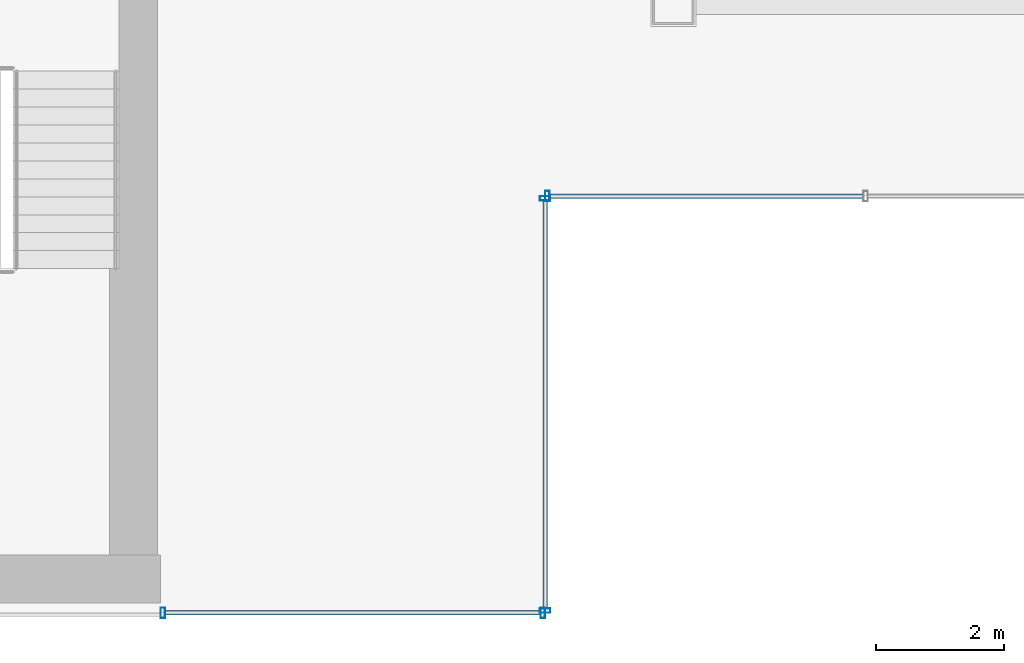
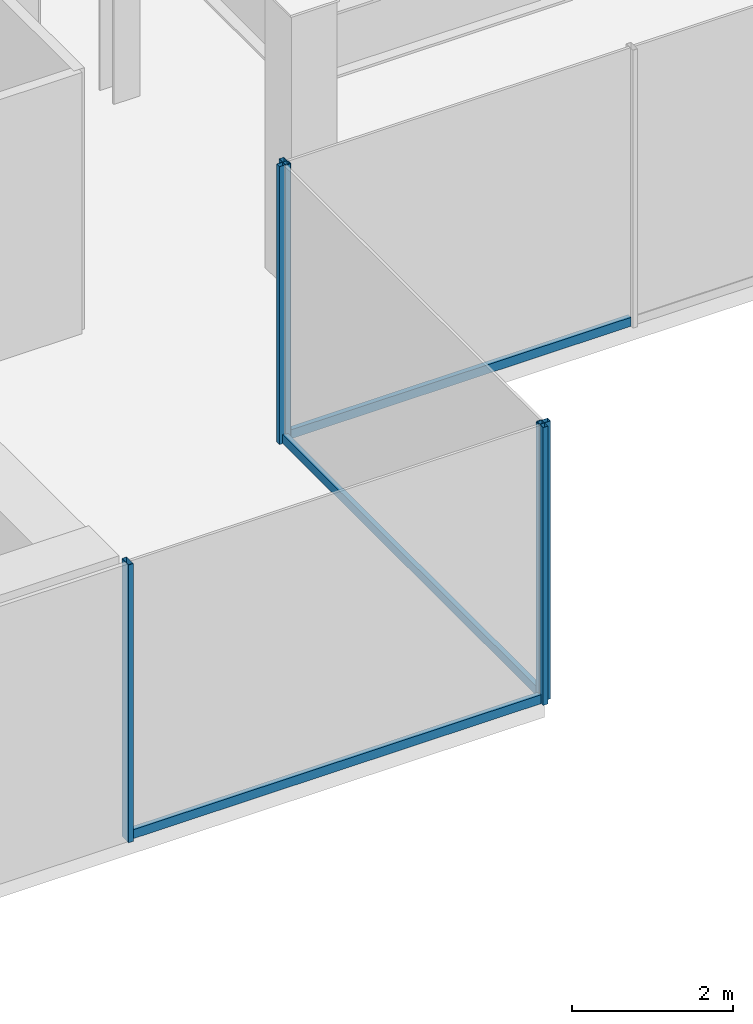
# One storey, part 4 of 26: 8 members, 3 elements without a shape of their own.
"""IFC4 building model written with IfcOpenShell, lengths in metres."""

import ifcopenshell
import ifcopenshell.guid

model = None  # the IFC model being written
_history = None  # IfcOwnerHistory: only IFC2X3 demands one
_inside = {}  # id of a spatial element -> (the spatial element, [elements in it])
_under = {}  # id of a project, library or spatial element -> (it, [spatial elements below it])
_declared = {}  # id of a project -> (the project, [libraries it declares])
_typed = {}  # id of a type object -> (the type object, [elements of that type])
_made_of = {}  # id of a material, layer set ... -> (it, [elements and type objects made of it])


def new_model(schema):
    """Start an empty IFC model of exactly this schema.

    Asked for "IFC4X3", IfcOpenShell would pick the latest addendum, in which some entities
    have other attributes; the version numbers below select the first issue.
    IFC2X3 requires an IfcOwnerHistory on every rooted entity: one is made here for all.
    """
    global model, _history
    if schema == "IFC4X3":
        model = ifcopenshell.file(schema_version=(4, 3, 0, 0))
    else:
        model = ifcopenshell.file(schema=schema)
    _inside.clear()
    _under.clear()
    _declared.clear()
    _typed.clear()
    _made_of.clear()
    _history = None
    if model.schema == "IFC2X3":
        org = make("IfcOrganization", Name="unknown")
        user = make(
            "IfcPersonAndOrganization",
            ThePerson=make("IfcPerson", FamilyName="unknown"),
            TheOrganization=org,
        )
        app = make(
            "IfcApplication",
            ApplicationDeveloper=org,
            Version="unknown",
            ApplicationFullName="unknown",
            ApplicationIdentifier="unknown",
        )
        _history = make(
            "IfcOwnerHistory",
            OwningUser=user,
            OwningApplication=app,
            ChangeAction="ADDED",
            CreationDate=0,
        )
    return model


def make(cls, **values):
    """One entity of the class cls with the attributes given. An attribute that is None is left unset."""
    return model.create_entity(
        cls, **{name: value for name, value in values.items() if value is not None}
    )


def rooted(cls, **values):
    """An entity with a GlobalId (a new one), such as an element, a storey or a relation."""
    return make(cls, GlobalId=ifcopenshell.guid.new(), OwnerHistory=_history, **values)


def si_unit(unit_type, name, prefix=None):
    """IfcSIUnit, for example si_unit("LENGTHUNIT", "METRE", prefix="MILLI")."""
    return make("IfcSIUnit", UnitType=unit_type, Prefix=prefix, Name=name)


def derived_unit(unit_type, elements):
    """IfcDerivedUnit: a product of units, each with its exponent."""
    return make(
        "IfcDerivedUnit",
        Elements=[
            make("IfcDerivedUnitElement", Unit=unit, Exponent=power)
            for unit, power in elements
        ],
        UnitType=unit_type,
    )


def assignment(units):
    """IfcUnitAssignment: the units of a project."""
    return None if units is None else make("IfcUnitAssignment", Units=units)


def point(xyz):
    """IfcCartesianPoint."""
    return None if xyz is None else make("IfcCartesianPoint", Coordinates=xyz)


def direction(xyz):
    """IfcDirection."""
    return None if xyz is None else make("IfcDirection", DirectionRatios=xyz)


def frame(location, z_axis=None, x_axis=None):
    """IfcAxis2Placement3D, a coordinate frame: its origin and axes. An axis left out is left unset."""
    return make(
        "IfcAxis2Placement3D",
        Location=point(location),
        Axis=direction(z_axis),
        RefDirection=direction(x_axis),
    )


def frame_2d(location, x_axis=None):
    """IfcAxis2Placement2D, a coordinate frame in the plane: its origin and x axis."""
    return make(
        "IfcAxis2Placement2D", Location=point(location), RefDirection=direction(x_axis)
    )


def origin():
    """The frame at (0, 0, 0) with its axes left unset."""
    return frame((0.0, 0.0, 0.0))


def origin_2d():
    """The frame at (0, 0) in the plane with its x axis left unset."""
    return frame_2d((0.0, 0.0))


def place(relative_to, where):
    """IfcLocalPlacement: puts the frame where relative to a parent placement (None: the world)."""
    return make(
        "IfcLocalPlacement", PlacementRelTo=relative_to, RelativePlacement=where
    )


def context(
    kind, dimensions, precision=None, world=None, true_north=None, identifier=None
):
    """IfcGeometricRepresentationContext, for example the 3D "Model" context."""
    return make(
        "IfcGeometricRepresentationContext",
        ContextIdentifier=identifier,
        ContextType=kind,
        CoordinateSpaceDimension=dimensions,
        Precision=precision,
        WorldCoordinateSystem=world,
        TrueNorth=true_north,
    )


def subcontext(parent, identifier, kind, view, scale=None):
    """IfcGeometricRepresentationSubContext, for example "Body" below "Model"."""
    return make(
        "IfcGeometricRepresentationSubContext",
        ContextIdentifier=identifier,
        ContextType=kind,
        ParentContext=parent,
        TargetScale=scale,
        TargetView=view,
    )


def project(units=None, contexts=None):
    """IfcProject with its units and contexts."""
    return rooted(
        "IfcProject",
        Name="project",
        RepresentationContexts=contexts,
        UnitsInContext=assignment(units),
    )


def spatial(cls, under=None, at=None, **own):
    """A site, building, storey or space (cls), placed at a placement, below another one or the project."""
    s = rooted(cls, ObjectPlacement=at, **own)
    if under is not None:
        _under.setdefault(under.id(), (under, []))[1].append(s)
    return s


def profile(cls, at=None, kind="AREA", **sizes):
    """A parametric profile (cls). Its sizes go by their IFC names, for example OverallWidth=200.0."""
    return make(cls, ProfileType=kind, Position=at, **sizes)


def hollow_rectangle(**sizes):
    """IfcRectangleHollowProfileDef."""
    return profile("IfcRectangleHollowProfileDef", **sizes)


def extrude(swept, where, along, depth):
    """IfcExtrudedAreaSolid: the profile swept, set in the frame where, extruded along a direction by depth."""
    return make(
        "IfcExtrudedAreaSolid",
        SweptArea=swept,
        Position=where,
        ExtrudedDirection=direction(along),
        Depth=depth,
    )


def shape(context_of_items, identifier, shape_type, items):
    """IfcShapeRepresentation: the items that make up one representation, for example the "Body"."""
    return make(
        "IfcShapeRepresentation",
        ContextOfItems=context_of_items,
        RepresentationIdentifier=identifier,
        RepresentationType=shape_type,
        Items=items,
    )


def source(mapping_origin, context_of_items, identifier, shape_type, items):
    """IfcRepresentationMap: a shape defined once, which mapped items show again and again."""
    return make(
        "IfcRepresentationMap",
        MappingOrigin=mapping_origin,
        MappedRepresentation=shape(context_of_items, identifier, shape_type, items),
    )


def transform(
    local_origin,
    x_axis=None,
    y_axis=None,
    z_axis=None,
    scale=None,
    scale2=None,
    scale3=None,
    uniform=True,
):
    """IfcCartesianTransformationOperator3D, or its non-uniform kind. x_axis, y_axis, z_axis: its Axis1, 2, 3."""
    if uniform:
        return make(
            "IfcCartesianTransformationOperator3D",
            Axis1=direction(x_axis),
            Axis2=direction(y_axis),
            LocalOrigin=point(local_origin),
            Scale=scale,
            Axis3=direction(z_axis),
        )
    return make(
        "IfcCartesianTransformationOperator3DnonUniform",
        Axis1=direction(x_axis),
        Axis2=direction(y_axis),
        LocalOrigin=point(local_origin),
        Scale=scale,
        Axis3=direction(z_axis),
        Scale2=scale2,
        Scale3=scale3,
    )


def mapped(mapping_source, mapping_target):
    """IfcMappedItem: shows the shape of a source again, moved by a transform."""
    return make(
        "IfcMappedItem", MappingSource=mapping_source, MappingTarget=mapping_target
    )


def material(Name=None, Category=None):
    """IfcMaterial."""
    return make("IfcMaterial", Name=Name, Category=Category)


def material_profile(
    of_material, cross_section, Name=None, Category=None, Priority=None
):
    """IfcMaterialProfile: a cross section and its material."""
    return make(
        "IfcMaterialProfile",
        Name=Name,
        Material=of_material,
        Profile=cross_section,
        Priority=Priority,
        Category=Category,
    )


def profile_set(profiles, Name=None, composite=None):
    """IfcMaterialProfileSet."""
    return make(
        "IfcMaterialProfileSet",
        Name=Name,
        MaterialProfiles=profiles,
        CompositeProfile=composite,
    )


def made_of(thing, what):
    """Note that an element or type object is made of a material, layer set ...; save() writes the relation."""
    if what is not None:
        _made_of.setdefault(what.id(), (what, []))[1].append(thing)
    return thing


def type_object(cls, material=None, **own):
    """A type object (cls), such as IfcWallType, which elements share."""
    return made_of(rooted(cls, **own), material)


def element(
    cls,
    number,
    at=None,
    inside=None,
    cuts=None,
    type_object=None,
    material=None,
    context=None,
    identifier="Body",
    shape_type=None,
    held_by="IfcProductDefinitionShape",
    body=None,
    shapes=None,
    **own,
):
    """One element of the class cls, such as IfcWall. Its Tag is "e" and its number.

    at: its placement. inside: the storey or other place that contains it. cuts: it is an
    opening in that element (IfcRelVoidsElement). A single representation is given by context,
    identifier, shape_type and body (its items); several are given by shapes. held_by: the class
    of the entity that holds the representations. save() writes the other relations.
    """
    e = rooted(cls, Tag="e%d" % number, ObjectPlacement=at, **own)
    if body is not None:
        shapes = [shape(context, identifier, shape_type, body)]
    if shapes is not None:
        e.Representation = make(held_by, Representations=shapes)
    if inside is not None:
        _inside.setdefault(inside.id(), (inside, []))[1].append(e)
    if cuts is not None:
        rooted(
            "IfcRelVoidsElement", RelatingBuildingElement=cuts, RelatedOpeningElement=e
        )
    if type_object is not None:
        _typed.setdefault(type_object.id(), (type_object, []))[1].append(e)
    return made_of(e, material)


def aggregate(whole, parts):
    """IfcRelAggregates: a whole, such as a stair, and the parts it consists of."""
    return rooted("IfcRelAggregates", RelatingObject=whole, RelatedObjects=parts)


def save(model, path):
    """Write the relations noted so far, then the file.

    IfcRelAggregates (storeys below a building ...), IfcRelContainedInSpatialStructure (elements
    in a storey), IfcRelDefinesByType, IfcRelAssociatesMaterial and IfcRelDeclares: one each for
    every whole, place, type object, material and project.
    """
    for whole, parts in _under.values():
        aggregate(whole, parts)
    for where, things in _inside.values():
        rooted(
            "IfcRelContainedInSpatialStructure",
            RelatedElements=things,
            RelatingStructure=where,
        )
    for kind, things in _typed.values():
        rooted("IfcRelDefinesByType", RelatedObjects=things, RelatingType=kind)
    for what, things in _made_of.values():
        rooted("IfcRelAssociatesMaterial", RelatedObjects=things, RelatingMaterial=what)
    for by, libraries in _declared.values():
        rooted("IfcRelDeclares", RelatingContext=by, RelatedDefinitions=libraries)
    model.write(path)


model = new_model("IFC4")

# Units and contexts
model_context = context("Model", 3, precision=1e-05, world=origin(), true_north=direction((0.0, 1.0)))
body_context = subcontext(model_context, "Body", "Model", "MODEL_VIEW")
ifc_project = project(units=[si_unit("LENGTHUNIT", "METRE"), si_unit("AREAUNIT", "SQUARE_METRE"), si_unit("VOLUMEUNIT", "CUBIC_METRE"), si_unit("PLANEANGLEUNIT", "RADIAN"), si_unit("MASSUNIT", "GRAM", prefix="KILO"), derived_unit("THERMALTRANSMITTANCEUNIT", [(si_unit("POWERUNIT", "WATT"), 1), (si_unit("LENGTHUNIT", "METRE"), -2), (si_unit("THERMODYNAMICTEMPERATUREUNIT", "KELVIN"), -1)])], contexts=[model_context])

# Site, building, storey
site_placement = place(None, origin())
site = spatial("IfcSite", under=ifc_project, at=site_placement, CompositionType="ELEMENT")
building_placement = place(site_placement, origin())
building = spatial("IfcBuilding", under=site, at=building_placement, Name="Skarnbrae Concourse Arena and Tower", CompositionType="ELEMENT")
storey_placement = place(building_placement, frame((0.0, 0.0, 184.39990234375)))
storey = spatial("IfcBuildingStorey", under=building, at=storey_placement, Name="L47", CompositionType="ELEMENT", Elevation=184.39990234375)

# Curtain wall, members
ifc_material = material(Name="Bronze anodised aluminium 6063-T6", Category="aluminium")
curtain_wall_type = type_object("IfcCurtainWallType", Name="CW-SYS-06-SKYLOBBY", PredefinedType="USERDEFINED", material=ifc_material)
curtain_wall_1_placement = place(storey_placement, origin())
curtain_wall_1 = element("IfcCurtainWall", 1, at=curtain_wall_1_placement, inside=storey, type_object=curtain_wall_type, Name="L47 Unitised curtain wall CW-L47-SE-SPINE", ObjectType="UNITISED CURTAIN WALL", PredefinedType="USERDEFINED")
ifc_material_profile_1 = material_profile(ifc_material, hollow_rectangle(XDim=0.070068359375, YDim=0.1650390625, WallThickness=0.00390625, at=origin_2d()), Name="ALU-MULL-70X165")
ifc_profile_set_1 = profile_set([ifc_material_profile_1], Name="Bronze anodised aluminium 6063-T6")
member_type_1 = type_object("IfcMemberType", Name="CWM-CW-06", PredefinedType="MULLION", material=ifc_profile_set_1)
shared_shape_1 = source(origin(), body_context, "Body", "SweptSolid", [
    extrude(hollow_rectangle(XDim=0.070068359375, YDim=0.1650390625, WallThickness=0.00390625, at=origin_2d()), origin(), (0.0, 0.0, 1.0), 4.2001953125),
])
member_1_placement = place(storey_placement, frame((34.034912109375, 0.0, 0.0), z_axis=(0.0, 0.0, 1.0), x_axis=(1.0, 0.0, 0.0)))
member_1 = element("IfcMember", 2, at=member_1_placement, type_object=member_type_1, Name="CW-L47-SE-SPINE Mullion 1", PredefinedType="MULLION", context=body_context, shape_type="MappedRepresentation", body=[
    mapped(shared_shape_1, transform((0.0, 0.0, 0.0))),
])
member_2_placement = place(storey_placement, frame((39.965087890625, 0.0, 0.0), z_axis=(0.0, 0.0, 1.0), x_axis=(1.0, 0.0, 0.0)))
member_2 = element("IfcMember", 3, at=member_2_placement, type_object=member_type_1, Name="CW-L47-SE-SPINE Mullion 2", PredefinedType="MULLION", context=body_context, shape_type="MappedRepresentation", body=[
    mapped(shared_shape_1, transform((0.0, 0.0, 0.0))),
])

curtain_wall_2_placement = place(storey_placement, origin())
curtain_wall_2 = element("IfcCurtainWall", 4, at=curtain_wall_2_placement, inside=storey, type_object=curtain_wall_type, Name="L47 Unitised curtain wall CW-L47-E02", ObjectType="UNITISED CURTAIN WALL", PredefinedType="USERDEFINED")
member_3_placement = place(storey_placement, frame((40.0, 0.034912109375, 0.0), z_axis=(0.0, 0.0, 1.0), x_axis=(0.0, 1.0, 0.0)))
member_3 = element("IfcMember", 5, at=member_3_placement, type_object=member_type_1, Name="CW-L47-E02 Mullion 1", PredefinedType="MULLION", context=body_context, shape_type="MappedRepresentation", body=[
    mapped(shared_shape_1, transform((0.0, 0.0, 0.0))),
])
member_4_placement = place(storey_placement, frame((40.0, 6.465087890625, 0.0), z_axis=(0.0, 0.0, 1.0), x_axis=(0.0, 1.0, 0.0)))
member_4 = element("IfcMember", 6, at=member_4_placement, type_object=member_type_1, Name="CW-L47-E02 Mullion 2", PredefinedType="MULLION", context=body_context, shape_type="MappedRepresentation", body=[
    mapped(shared_shape_1, transform((0.0, 0.0, 0.0))),
])

# Curtain wall, member
curtain_wall_3_placement = place(storey_placement, origin())
curtain_wall_3 = element("IfcCurtainWall", 7, at=curtain_wall_3_placement, inside=storey, type_object=curtain_wall_type, Name="L47 Unitised curtain wall CW-L47-E03", ObjectType="UNITISED CURTAIN WALL", PredefinedType="USERDEFINED")
member_5_placement = place(storey_placement, frame((40.034912109375, 6.5, 0.0), z_axis=(0.0, 0.0, 1.0), x_axis=(1.0, 0.0, 0.0)))
member_5 = element("IfcMember", 8, at=member_5_placement, type_object=member_type_1, Name="CW-L47-E03 Mullion 1", PredefinedType="MULLION", context=body_context, shape_type="MappedRepresentation", body=[
    mapped(shared_shape_1, transform((0.0, 0.0, 0.0))),
])

# Member
ifc_material_profile_2 = material_profile(ifc_material, hollow_rectangle(XDim=0.070068359375, YDim=0.135009765625, WallThickness=0.00390625, at=origin_2d()), Name="ALU-TRAN-70X135")
ifc_profile_set_2 = profile_set([ifc_material_profile_2], Name="Bronze anodised aluminium 6063-T6")
member_type_2 = type_object("IfcMemberType", Name="CWT-CW-06", PredefinedType="USERDEFINED", material=ifc_profile_set_2)
shared_shape_2 = source(origin(), body_context, "Body", "SweptSolid", [
    extrude(hollow_rectangle(XDim=0.070068359375, YDim=0.135009765625, WallThickness=0.00390625, at=origin_2d()), origin(), (0.0, 0.0, 1.0), 5.85986328125),
])
member_6_placement = place(storey_placement, frame((34.070068359375, 0.0, 0.067626953125), z_axis=(1.0, 0.0, 0.0), x_axis=(0.0, 1.0, 0.0)))
member_6 = element("IfcMember", 9, at=member_6_placement, type_object=member_type_2, Name="CW-L47-SE-SPINE Transom 1", ObjectType="TRANSOM", PredefinedType="USERDEFINED", context=body_context, shape_type="MappedRepresentation", body=[
    mapped(shared_shape_2, transform((0.0, 0.0, 0.0))),
])

aggregate(curtain_wall_1, [member_1, member_2, member_6])

shared_shape_3 = source(origin(), body_context, "Body", "SweptSolid", [
    extrude(hollow_rectangle(XDim=0.070068359375, YDim=0.135009765625, WallThickness=0.00390625, at=origin_2d()), origin(), (0.0, 0.0, 1.0), 6.35986328125),
])
member_7_placement = place(storey_placement, frame((40.0, 0.070068359375, 0.067626953125), z_axis=(0.0, 1.0, 0.0), x_axis=(-1.0, 0.0, 0.0)))
member_7 = element("IfcMember", 10, at=member_7_placement, type_object=member_type_2, Name="CW-L47-E02 Transom 1", ObjectType="TRANSOM", PredefinedType="USERDEFINED", context=body_context, shape_type="MappedRepresentation", body=[
    mapped(shared_shape_3, transform((0.0, 0.0, 0.0))),
])

aggregate(curtain_wall_2, [member_3, member_4, member_7])

shared_shape_4 = source(origin(), body_context, "Body", "SweptSolid", [
    extrude(hollow_rectangle(XDim=0.070068359375, YDim=0.135009765625, WallThickness=0.00390625, at=origin_2d()), origin(), (0.0, 0.0, 1.0), 4.89501953125),
])
member_8_placement = place(storey_placement, frame((40.070068359375, 6.5, 0.067626953125), z_axis=(1.0, 0.0, 0.0), x_axis=(0.0, 1.0, 0.0)))
member_8 = element("IfcMember", 11, at=member_8_placement, type_object=member_type_2, Name="CW-L47-E03 Transom 1", ObjectType="TRANSOM", PredefinedType="USERDEFINED", context=body_context, shape_type="MappedRepresentation", body=[
    mapped(shared_shape_4, transform((0.0, 0.0, 0.0))),
])

aggregate(curtain_wall_3, [member_5, member_8])

save(model, "model.ifc")
